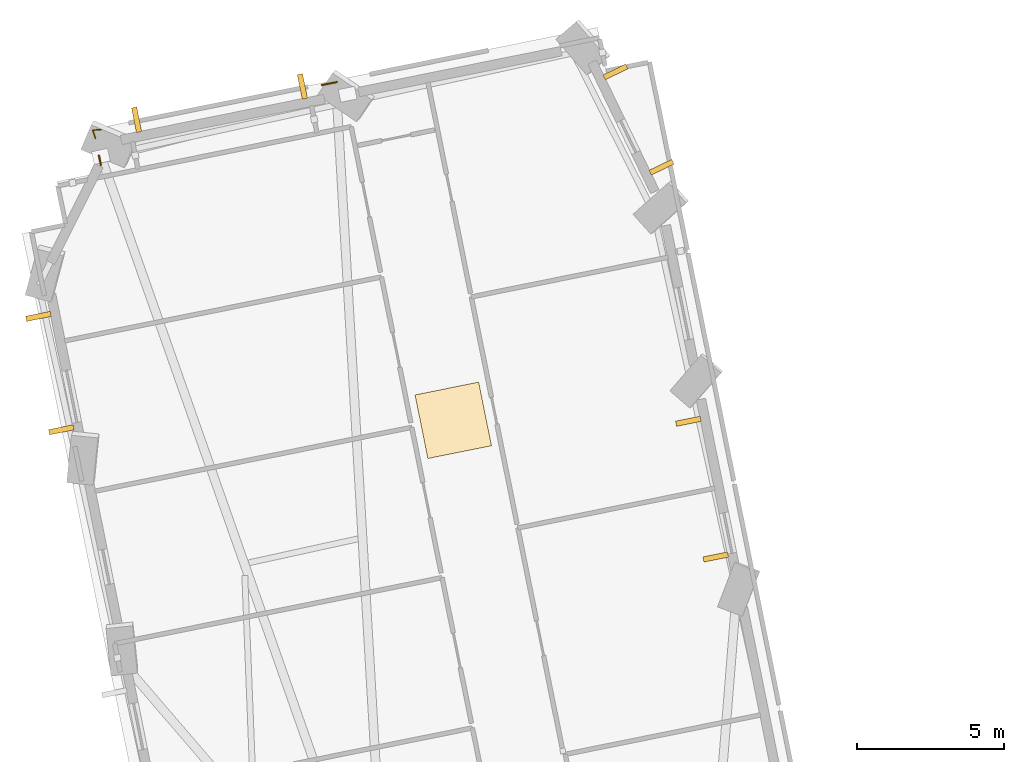
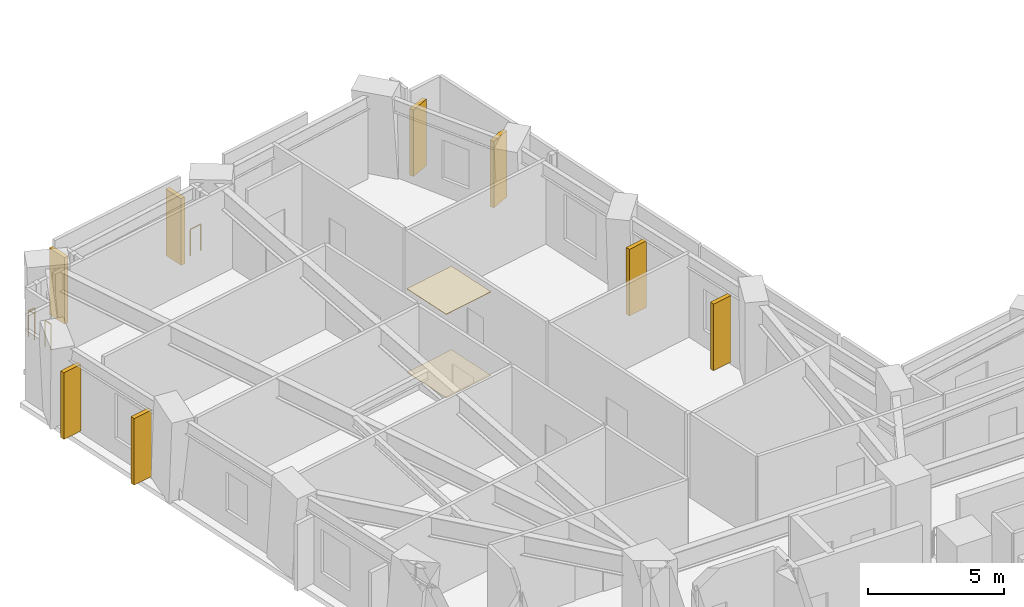
# One storey, part 15 of 16: 8 shading devices, 3 railings, 2 coverings.
"""IFC4 building model written with IfcOpenShell, lengths in metres."""

from ifc_helpers import new_model, si_unit, direction, frame, origin, origin_2d, place, context, subcontext, project, spatial, rectangle, circle, extrude, material, layer, layer_set, type_object, element, save


model = new_model("IFC4")

# Units and contexts
model_context = context("Model", 3, precision=1e-05, world=origin(), true_north=direction((0.0, 1.0)))
body_context = subcontext(model_context, "Body", "Model", "MODEL_VIEW")
ifc_project = project(units=[si_unit("LENGTHUNIT", "METRE"), si_unit("AREAUNIT", "SQUARE_METRE"), si_unit("VOLUMEUNIT", "CUBIC_METRE"), si_unit("PLANEANGLEUNIT", "RADIAN"), si_unit("MASSUNIT", "GRAM", prefix="KILO")], contexts=[model_context])

# Site, building, storey
site_placement = place(None, origin())
site = spatial("IfcSite", under=ifc_project, at=site_placement, CompositionType="ELEMENT")
building_placement = place(site_placement, origin())
building = spatial("IfcBuilding", under=site, at=building_placement, Name="Gaonmaruhae Medical Tower", CompositionType="ELEMENT")
storey_placement = place(building_placement, frame((0.0, 0.0, 71.0)))
storey = spatial("IfcBuildingStorey", under=building, at=storey_placement, Name="L16", CompositionType="ELEMENT", Elevation=71.0)

# Coverings
ifc_material_1 = material(Name="Acoustic mineral ceiling tile", Category="finish")
ifc_layer_1 = layer(ifc_material_1, 0.02490234375)
ifc_layer_set_1 = layer_set([ifc_layer_1], Name="Acoustic mineral ceiling tile")
covering_type_1 = type_object("IfcCoveringType", Name="CLG-01 Antimicrobial Acoustic Mineral Ceiling", PredefinedType="CEILING", material=ifc_layer_set_1)
covering_1_placement = place(storey_placement, frame((16.22119140625, 35.479736328125, 3.755126953125), z_axis=(0.0, 0.0, 1.0), x_axis=(0.980271174622, 0.197657340379, 0.0)))
element("IfcCovering", 1, at=covering_1_placement, inside=storey, type_object=covering_type_1, Name="L16 Clinical Corridor Acoustic Ceiling", PredefinedType="CEILING", context=body_context, shape_type="SweptSolid", body=[
    extrude(rectangle(XDim=2.199951171875, YDim=2.199951171875, at=origin_2d()), origin(), (0.0, 0.0, 1.0), 0.02490234375),
])
ifc_material_2 = material(Name="Seamless clinical vinyl flooring", Category="finish")
ifc_layer_2 = layer(ifc_material_2, 0.014892578125)
ifc_layer_set_2 = layer_set([ifc_layer_2], Name="Seamless clinical vinyl flooring")
covering_type_2 = type_object("IfcCoveringType", Name="FLR-01 Seamless Clinical Antistatic Vinyl Flooring", PredefinedType="FLOORING", material=ifc_layer_set_2)
covering_2_placement = place(storey_placement, frame((16.22119140625, 35.479736328125, 0.00048828125), z_axis=(0.0, 0.0, 1.0), x_axis=(0.980271174622, 0.197657340379, 0.0)))
element("IfcCovering", 2, at=covering_2_placement, inside=storey, type_object=covering_type_2, Name="L16 Clinical Corridor Vinyl Flooring", PredefinedType="FLOORING", context=body_context, shape_type="SweptSolid", body=[
    extrude(rectangle(XDim=2.199951171875, YDim=2.199951171875, at=origin_2d()), origin(), (0.0, 0.0, 1.0), 0.014892578125),
])

# Railings
ifc_material_3 = material(Name="Stainless steel 316L and laminated safety glass", Category="steel")
ifc_layer_3 = layer(ifc_material_3, 0.080078125)
ifc_layer_set_3 = layer_set([ifc_layer_3], Name="Stainless steel 316L and laminated safety glass")
railing_type = type_object("IfcRailingType", Name="GD-120 Outdoor Terrace Safety Glass & Steel Balustrade", PredefinedType="BALUSTRADE", material=ifc_layer_set_3)
railing_1_placement = place(storey_placement, frame((4.26904296875, 44.137451171875, 0.0)))
element("IfcRailing", 3, at=railing_1_placement, inside=storey, type_object=railing_type, Name="L16 Perimeter Slab Edge Safety Balustrade 05", PredefinedType="BALUSTRADE", context=body_context, shape_type="SweptSolid", body=[
    extrude(circle(Radius=0.02392578125, at=origin_2d()), frame((0.0, 0.0, 1.17578125), z_axis=(-0.197410174382, 0.980320979603, 0.0), x_axis=(-0.980320979603, -0.197410174382, 0.0)), (0.0, 0.0, 1.0), 0.326416015625),
    extrude(circle(Radius=0.02099609375, at=origin_2d()), origin(), (0.0, 0.0, 1.0), 1.15185546875),
    extrude(circle(Radius=0.02099609375, at=origin_2d()), frame((-0.064453125, 0.320068359375, 0.0)), (0.0, 0.0, 1.0), 1.15185546875),
])
railing_2_placement = place(storey_placement, frame((11.7666015625, 46.849609375, 0.0)))
element("IfcRailing", 4, at=railing_2_placement, inside=storey, type_object=railing_type, Name="L16 Perimeter Slab Edge Safety Balustrade 06", PredefinedType="BALUSTRADE", context=body_context, shape_type="SweptSolid", body=[
    extrude(circle(Radius=0.02392578125, at=origin_2d()), frame((0.0, 0.0, 1.17578125), z_axis=(0.980343965711, 0.197295993099, 0.0), x_axis=(-0.197295993099, 0.980343965711, 0.0)), (0.0, 0.0, 1.0), 0.517333984375),
    extrude(circle(Radius=0.02099609375, at=origin_2d()), origin(), (0.0, 0.0, 1.0), 1.15185546875),
    extrude(circle(Radius=0.02099609375, at=origin_2d()), frame((0.507080078125, 0.10205078125, 0.0)), (0.0, 0.0, 1.0), 1.15185546875),
])
railing_3_placement = place(storey_placement, frame((4.0859375, 45.0458984375, 0.0)))
element("IfcRailing", 5, at=railing_3_placement, inside=storey, type_object=railing_type, Name="L16 Perimeter Corner Safety Balustrade 14", PredefinedType="BALUSTRADE", context=body_context, shape_type="SweptSolid", body=[
    extrude(circle(Radius=0.02392578125, at=origin_2d()), frame((0.0, 0.0, 1.17578125), z_axis=(-0.31571712648, 0.948853358558, 0.0), x_axis=(-0.948853358558, -0.31571712648, 0.0)), (0.0, 0.0, 1.0), 0.286865234375),
    extrude(circle(Radius=0.02392578125, at=origin_2d()), frame((-0.090576171875, 0.272216796875, 1.17578125), z_axis=(0.99706448569, 0.07656638542, 0.0), x_axis=(-0.07656638542, 0.99706448569, 0.0)), (0.0, 0.0, 1.0), 0.286865234375),
    extrude(circle(Radius=0.02099609375, at=origin_2d()), origin(), (0.0, 0.0, 1.0), 1.15185546875),
    extrude(circle(Radius=0.02099609375, at=origin_2d()), frame((-0.090576171875, 0.272216796875, 0.0)), (0.0, 0.0, 1.0), 1.15185546875),
    extrude(circle(Radius=0.02099609375, at=origin_2d()), frame((0.195556640625, 0.294189453125, 0.0)), (0.0, 0.0, 1.0), 1.15185546875),
])

# Shading devices
ifc_material_4 = material(Name="Pigmented coral precast concrete C45/55", Category="concrete")
shading_device_type = type_object("IfcShadingDeviceType", Name="SD-FIN1 Tower Vertical Coral Precast Shading Fin", PredefinedType="USERDEFINED", material=ifc_material_4)
for number, where, z_axis, x_axis, name in (
    (6, (25.123046875, 30.844482421875, 0.08251953125), (0.0, 0.0, 1.0), (-0.197657340379, 0.980271174622, 0.0), "L16 Vertical Coral Precast Shading Fin NE01"),
    (7, (24.194580078125, 35.448486328125, 0.08251953125), (0.0, 0.0, 1.0), (-0.197657340379, 0.980271174622, 0.0), "L16 Vertical Coral Precast Shading Fin NE01B"),
    (8, (21.722412109375, 47.29443359375, 0.08251953125), (0.0, 0.0, 1.0), (0.434932518437, -0.900463049995, 0.0), "L16 Vertical Coral Precast Shading Fin NE03"),
    (9, (23.283447265625, 44.062744140625, 0.08251953125), (0.0, 0.0, 1.0), (0.434932518437, -0.900463049995, 0.0), "L16 Vertical Coral Precast Shading Fin NE03B"),
    (10, (5.4833984375, 45.669189453125, 0.08251953125), (0.0, 0.0, 1.0), (0.980271174622, 0.197657340379, 0.0), "L16 Vertical Coral Precast Shading Fin N02"),
    (11, (11.10498046875, 46.802734375, 0.08251953125), (0.0, 0.0, 1.0), (0.980271174622, 0.197657340379, 0.0), "L16 Vertical Coral Precast Shading Fin N02B"),
    (12, (2.932373046875, 35.1591796875, 0.08251953125), (0.0, 0.0, 1.0), (-0.197640231389, 0.980274624244, 0.0), "L16 Vertical Coral Precast Shading Fin W01"),
    (13, (2.156982421875, 39.0048828125, 0.08251953125), (0.0, 0.0, 1.0), (-0.197640231389, 0.980274624244, 0.0), "L16 Vertical Coral Precast Shading Fin W01B"),
):
    element("IfcShadingDevice", number, at=place(storey_placement, frame(where, z_axis=z_axis, x_axis=x_axis)), inside=storey, type_object=shading_device_type, Name=name, ObjectType="FIN", PredefinedType="USERDEFINED", context=body_context, shape_type="SweptSolid", body=[
        extrude(rectangle(XDim=0.179931640625, YDim=0.85009765625, at=origin_2d()), origin(), (0.0, 0.0, 1.0), 3.0),
    ])

save(model, "model.ifc")
